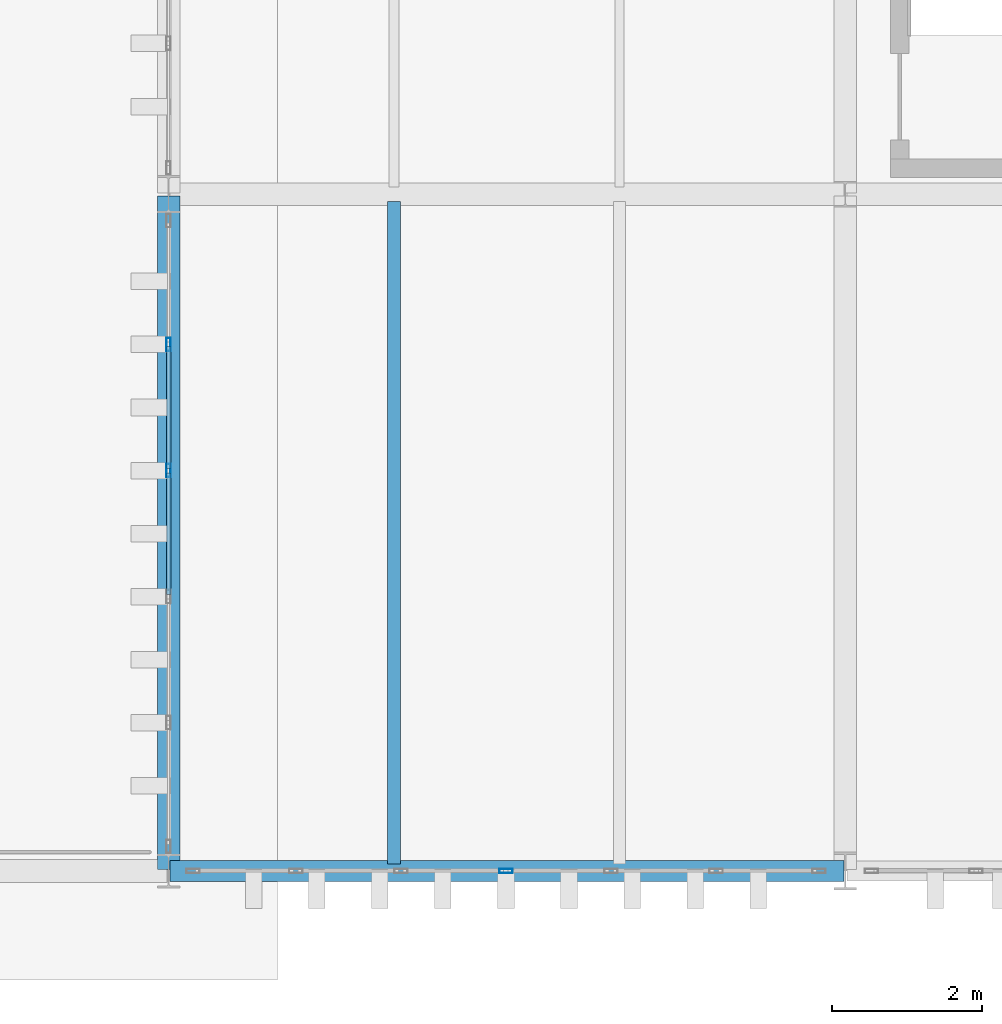
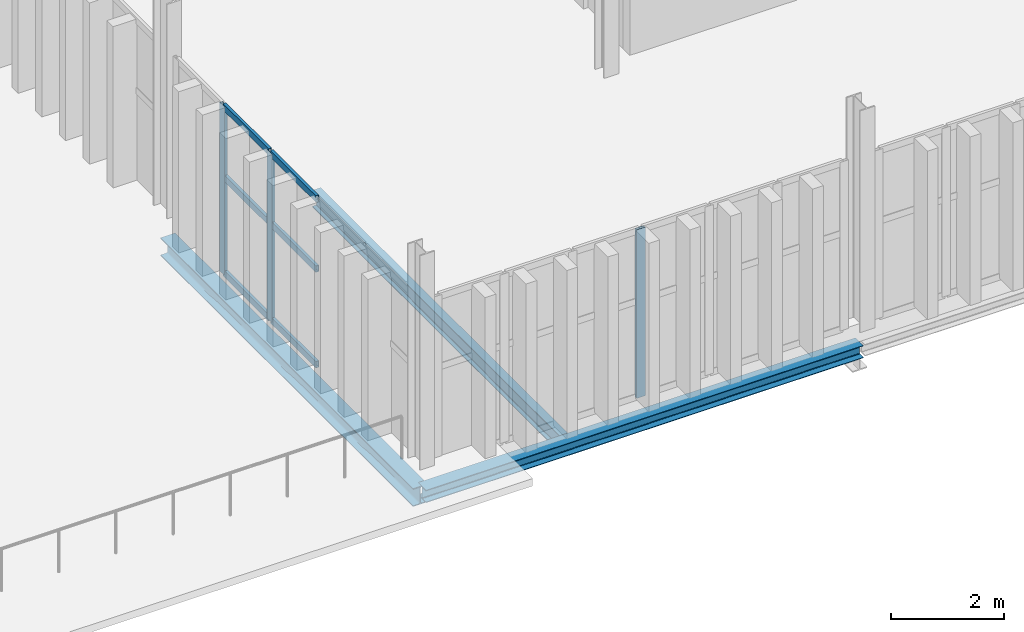
# One storey, part 103 of 196: 9 members, 3 beams, 2 elements without a shape of their own.
"""IFC4 building model written with IfcOpenShell, lengths in metres."""

from ifc_helpers import new_model, si_unit, direction, frame, origin, origin_2d, place, context, subcontext, project, spatial, hollow_rectangle, i_section, extrude, material, layer, layer_set, material_profile, profile_set, type_object, element, aggregate, save


model = new_model("IFC4")

# Units and contexts
model_context = context("Model", 3, precision=1e-05, world=origin(), true_north=direction((0.0, 1.0)))
body_context = subcontext(model_context, "Body", "Model", "MODEL_VIEW")
ifc_project = project(units=[si_unit("LENGTHUNIT", "METRE"), si_unit("AREAUNIT", "SQUARE_METRE"), si_unit("VOLUMEUNIT", "CUBIC_METRE"), si_unit("PLANEANGLEUNIT", "RADIAN"), si_unit("MASSUNIT", "GRAM", prefix="KILO")], contexts=[model_context])

# Site, building, storey
site_placement = place(None, origin())
site = spatial("IfcSite", under=ifc_project, at=site_placement, CompositionType="ELEMENT")
building_placement = place(site_placement, origin())
building = spatial("IfcBuilding", under=site, at=building_placement, Name="Barlavento Convention Centre", CompositionType="ELEMENT")
storey_placement = place(building_placement, frame((0.0, 0.0, 18.0)))
storey = spatial("IfcBuildingStorey", under=building, at=storey_placement, Name="L03", CompositionType="ELEMENT", Elevation=18.0)

# Curtain wall, member
ifc_material_1 = material(Name="Powder-coated aluminium and Low-E glass", Category="aluminium")
ifc_layer = layer(ifc_material_1, 0.179931640625)
ifc_layer_set = layer_set([ifc_layer], Name="ARC-CW-CONF-L03")
curtain_wall_type = type_object("IfcCurtainWallType", Name="ARC-CW-CONF-L03", PredefinedType="NOTDEFINED", material=ifc_layer_set)
curtain_wall_1_placement = place(storey_placement, origin())
curtain_wall_1 = element("IfcCurtainWall", 1, at=curtain_wall_1_placement, inside=storey, type_object=curtain_wall_type, Name="L03 unitised curtain wall CW08", PredefinedType="NOTDEFINED")
ifc_material_2 = material(Name="Powder-coated aluminium", Category="aluminium")
ifc_material_profile_1 = material_profile(ifc_material_2, hollow_rectangle(XDim=0.06005859375, YDim=0.179931640625, WallThickness=0.0048828125, at=origin_2d()), Name="AL-MULL 60x180x5")
ifc_profile_set_1 = profile_set([ifc_material_profile_1], Name="Powder-coated aluminium")
member_type_1 = type_object("IfcMemberType", Name="ARC-CWM-60X180", PredefinedType="MULLION", material=ifc_profile_set_1)
member_1_placement = place(storey_placement, frame((175.487548828125, 0.0, 0.0), z_axis=(0.0, 0.0, 1.0), x_axis=(0.0, 1.0, 0.0)))
member_1 = element("IfcMember", 2, at=member_1_placement, type_object=member_type_1, Name="CW08 mullion 4", PredefinedType="MULLION", context=body_context, shape_type="SweptSolid", body=[
    extrude(hollow_rectangle(XDim=0.06005859375, YDim=0.179931640625, WallThickness=0.0048828125, at=origin_2d()), origin(), (0.0, 0.0, 1.0), 3.64990234375),
])
aggregate(curtain_wall_1, [member_1])

# Curtain wall, members
curtain_wall_2_placement = place(storey_placement, origin())
curtain_wall_2 = element("IfcCurtainWall", 3, at=curtain_wall_2_placement, inside=storey, type_object=curtain_wall_type, Name="L03 unitised curtain wall CW08", PredefinedType="NOTDEFINED")
member_2_placement = place(storey_placement, frame((171.0, 5.325927734375, 0.0), z_axis=(0.0, 0.0, 1.0), x_axis=(-1.0, 0.0, 0.0)))
member_2 = element("IfcMember", 4, at=member_2_placement, type_object=member_type_1, Name="CW08 mullion 4", PredefinedType="MULLION", context=body_context, shape_type="SweptSolid", body=[
    extrude(hollow_rectangle(XDim=0.06005859375, YDim=0.179931640625, WallThickness=0.0048828125, at=origin_2d()), origin(), (0.0, 0.0, 1.0), 3.64990234375),
])
member_3_placement = place(storey_placement, frame((171.0, 7.0029296875, 0.0), z_axis=(0.0, 0.0, 1.0), x_axis=(-1.0, 0.0, 0.0)))
member_3 = element("IfcMember", 5, at=member_3_placement, type_object=member_type_1, Name="CW08 mullion 5", PredefinedType="MULLION", context=body_context, shape_type="SweptSolid", body=[
    extrude(hollow_rectangle(XDim=0.06005859375, YDim=0.179931640625, WallThickness=0.0048828125, at=origin_2d()), origin(), (0.0, 0.0, 1.0), 3.64990234375),
])
ifc_material_profile_2 = material_profile(ifc_material_2, hollow_rectangle(XDim=0.06005859375, YDim=0.139892578125, WallThickness=0.00390625, at=origin_2d()), Name="AL-TRAN 60x140x4")
ifc_profile_set_2 = profile_set([ifc_material_profile_2], Name="Powder-coated aluminium")
member_type_2 = type_object("IfcMemberType", Name="ARC-CWT-60X140", PredefinedType="USERDEFINED", material=ifc_profile_set_2)
member_4_placement = place(storey_placement, frame((171.0, 3.678955078125, 0.030029296875), z_axis=(0.0, 1.0, 0.0), x_axis=(-1.0, 0.0, 0.0)))
member_4 = element("IfcMember", 6, at=member_4_placement, type_object=member_type_2, Name="CW08 transom 3.1", ObjectType="TRANSOM", PredefinedType="USERDEFINED", context=body_context, shape_type="SweptSolid", body=[
    extrude(hollow_rectangle(XDim=0.06005859375, YDim=0.139892578125, WallThickness=0.00390625, at=origin_2d()), origin(), (0.0, 0.0, 1.0), 1.616943359375),
])
member_5_placement = place(storey_placement, frame((171.0, 3.678955078125, 2.10009765625), z_axis=(0.0, 1.0, 0.0), x_axis=(-1.0, 0.0, 0.0)))
member_5 = element("IfcMember", 7, at=member_5_placement, type_object=member_type_2, Name="CW08 transom 3.2", ObjectType="TRANSOM", PredefinedType="USERDEFINED", context=body_context, shape_type="SweptSolid", body=[
    extrude(hollow_rectangle(XDim=0.06005859375, YDim=0.139892578125, WallThickness=0.00390625, at=origin_2d()), origin(), (0.0, 0.0, 1.0), 1.616943359375),
])
member_6_placement = place(storey_placement, frame((171.0, 3.678955078125, 3.6201171875), z_axis=(0.0, 1.0, 0.0), x_axis=(-1.0, 0.0, 0.0)))
member_6 = element("IfcMember", 8, at=member_6_placement, type_object=member_type_2, Name="CW08 transom 3.3", ObjectType="TRANSOM", PredefinedType="USERDEFINED", context=body_context, shape_type="SweptSolid", body=[
    extrude(hollow_rectangle(XDim=0.06005859375, YDim=0.139892578125, WallThickness=0.00390625, at=origin_2d()), origin(), (0.0, 0.0, 1.0), 1.616943359375),
])
member_7_placement = place(storey_placement, frame((171.0, 5.35595703125, 0.030029296875), z_axis=(0.0, 1.0, 0.0), x_axis=(-1.0, 0.0, 0.0)))
member_7 = element("IfcMember", 9, at=member_7_placement, type_object=member_type_2, Name="CW08 transom 4.1", ObjectType="TRANSOM", PredefinedType="USERDEFINED", context=body_context, shape_type="SweptSolid", body=[
    extrude(hollow_rectangle(XDim=0.06005859375, YDim=0.139892578125, WallThickness=0.00390625, at=origin_2d()), origin(), (0.0, 0.0, 1.0), 1.616943359375),
])
member_8_placement = place(storey_placement, frame((171.0, 5.35595703125, 2.10009765625), z_axis=(0.0, 1.0, 0.0), x_axis=(-1.0, 0.0, 0.0)))
member_8 = element("IfcMember", 10, at=member_8_placement, type_object=member_type_2, Name="CW08 transom 4.2", ObjectType="TRANSOM", PredefinedType="USERDEFINED", context=body_context, shape_type="SweptSolid", body=[
    extrude(hollow_rectangle(XDim=0.06005859375, YDim=0.139892578125, WallThickness=0.00390625, at=origin_2d()), origin(), (0.0, 0.0, 1.0), 1.616943359375),
])
member_9_placement = place(storey_placement, frame((171.0, 5.35595703125, 3.6201171875), z_axis=(0.0, 1.0, 0.0), x_axis=(-1.0, 0.0, 0.0)))
member_9 = element("IfcMember", 11, at=member_9_placement, type_object=member_type_2, Name="CW08 transom 4.3", ObjectType="TRANSOM", PredefinedType="USERDEFINED", context=body_context, shape_type="SweptSolid", body=[
    extrude(hollow_rectangle(XDim=0.06005859375, YDim=0.139892578125, WallThickness=0.00390625, at=origin_2d()), origin(), (0.0, 0.0, 1.0), 1.616943359375),
])
aggregate(curtain_wall_2, [member_2, member_3, member_4, member_5, member_6, member_7, member_8, member_9])

# Beams
ifc_material_3 = material(Name="Steel S355", Category="steel")
ifc_material_profile_3 = material_profile(ifc_material_3, i_section(OverallWidth=0.169921875, OverallDepth=0.360107421875, WebThickness=0.008056640625, FlangeThickness=0.0126953125, FilletRadius=0.01806640625, at=origin_2d()), Name="IPE 360")
ifc_profile_set_3 = profile_set([ifc_material_profile_3], Name="Steel S355")
beam_type_1 = type_object("IfcBeamType", Name="STR-BM-JST-IPE360", PredefinedType="JOIST", material=ifc_profile_set_3)
beam_1_placement = place(storey_placement, frame((174.0, 0.094970703125, -0.570068359375), z_axis=(0.0, 1.0, 0.0), x_axis=(-1.0, 0.0, 0.0)))
element("IfcBeam", 12, at=beam_1_placement, inside=storey, type_object=beam_type_1, Name="L03 composite floor joist SJ05", PredefinedType="JOIST", context=body_context, shape_type="SweptSolid", body=[
    extrude(i_section(OverallWidth=0.169921875, OverallDepth=0.360107421875, WebThickness=0.008056640625, FlangeThickness=0.0126953125, FilletRadius=0.01806640625, at=origin_2d()), origin(), (0.0, 0.0, 1.0), 8.81005859375),
])
ifc_material_profile_4 = material_profile(ifc_material_3, i_section(OverallWidth=0.300048828125, OverallDepth=0.389892578125, WebThickness=0.010986328125, FlangeThickness=0.01904296875, FilletRadius=0.027099609375, at=origin_2d()), Name="HEA 400")
ifc_profile_set_4 = profile_set([ifc_material_profile_4], Name="Steel S355")
beam_type_2 = type_object("IfcBeamType", Name="STR-BM-PRI-HEA400", PredefinedType="BEAM", material=ifc_profile_set_4)
beam_2_placement = place(storey_placement, frame((171.0, 0.02001953125, -0.5849609375), z_axis=(0.0, 1.0, 0.0), x_axis=(-1.0, 0.0, 0.0)))
element("IfcBeam", 13, at=beam_2_placement, inside=storey, type_object=beam_type_2, Name="L03 grid girder BG22", PredefinedType="BEAM", context=body_context, shape_type="SweptSolid", body=[
    extrude(i_section(OverallWidth=0.300048828125, OverallDepth=0.389892578125, WebThickness=0.010986328125, FlangeThickness=0.01904296875, FilletRadius=0.027099609375, at=origin_2d()), origin(), (0.0, 0.0, 1.0), 8.9599609375),
])
ifc_material_profile_5 = material_profile(ifc_material_3, i_section(OverallWidth=0.280029296875, OverallDepth=0.27001953125, WebThickness=0.008056640625, FlangeThickness=0.012939453125, FilletRadius=0.02392578125, at=origin_2d()), Name="HEA 280")
ifc_profile_set_5 = profile_set([ifc_material_profile_5], Name="Steel S355")
beam_type_3 = type_object("IfcBeamType", Name="STR-BM-SPN-HEA280", PredefinedType="SPANDREL", material=ifc_profile_set_5)
beam_3_placement = place(storey_placement, frame((171.02001953125, 0.0, -0.52490234375), z_axis=(1.0, 0.0, 0.0), x_axis=(0.0, 1.0, 0.0)))
element("IfcBeam", 14, at=beam_3_placement, inside=storey, type_object=beam_type_3, Name="L03 primary girder SP03", PredefinedType="SPANDREL", context=body_context, shape_type="SweptSolid", body=[
    extrude(i_section(OverallWidth=0.280029296875, OverallDepth=0.27001953125, WebThickness=0.008056640625, FlangeThickness=0.012939453125, FilletRadius=0.02392578125, at=origin_2d()), origin(), (0.0, 0.0, 1.0), 8.9599609375),
])

save(model, "model.ifc")
